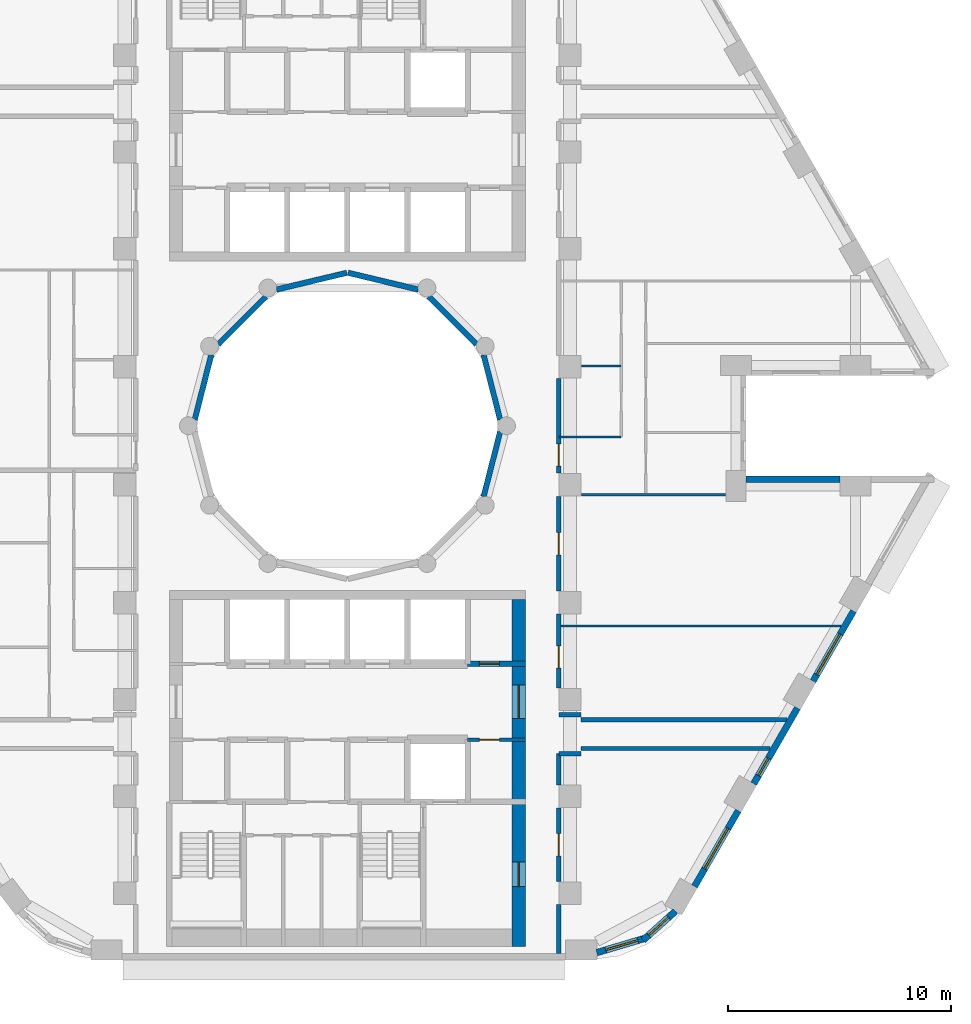
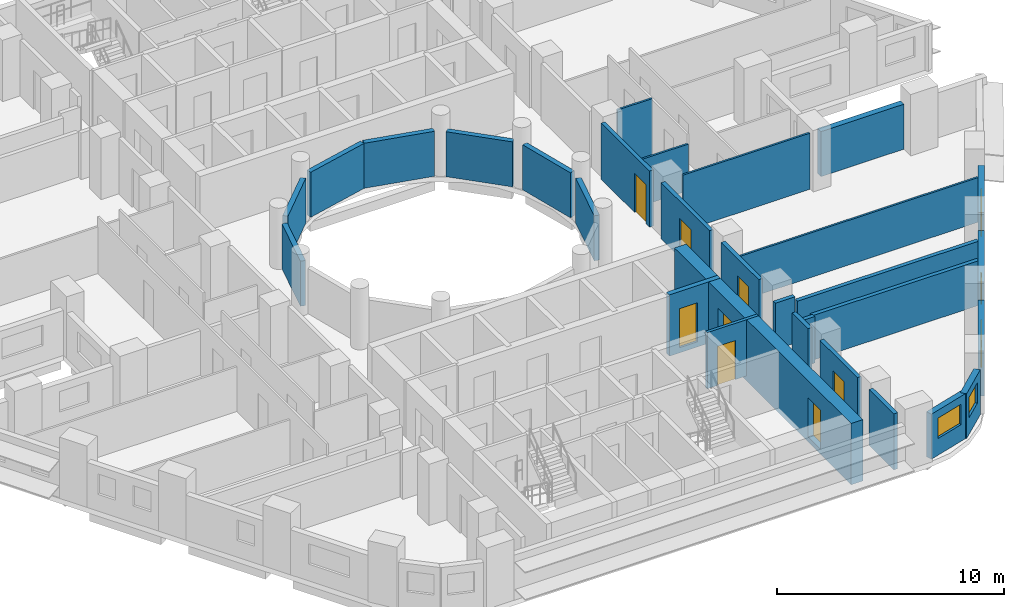
# One storey, part 5 of 12: 30 walls, 8 doors, 5 windows, 13 openings.
"""IFC4 building model written with IfcOpenShell, lengths in metres."""

from ifc_helpers import new_model, si_unit, direction, frame, frame_2d, origin, place, context, subcontext, project, spatial, rectangle, extrude, material, layer, layer_set, type_object, element, fill, save


model = new_model("IFC4")

# Units and contexts
model_context = context("Model", 3, precision=1e-05, world=origin(), true_north=direction((0.0, 1.0)))
body_context = subcontext(model_context, "Body", "Model", "MODEL_VIEW")
ifc_project = project(units=[si_unit("LENGTHUNIT", "METRE"), si_unit("AREAUNIT", "SQUARE_METRE"), si_unit("VOLUMEUNIT", "CUBIC_METRE"), si_unit("PLANEANGLEUNIT", "RADIAN"), si_unit("MASSUNIT", "GRAM", prefix="KILO")], contexts=[model_context])

# Site, building, storey
site_placement = place(None, origin())
site = spatial("IfcSite", under=ifc_project, at=site_placement, CompositionType="ELEMENT")
building_placement = place(site_placement, origin())
building = spatial("IfcBuilding", under=site, at=building_placement, Name="Nakaniwa Court", CompositionType="ELEMENT")
storey_placement = place(building_placement, frame((0.0, 0.0, 104.10009765625)))
storey = spatial("IfcBuildingStorey", under=building, at=storey_placement, Name="L27", CompositionType="ELEMENT", Elevation=104.10009765625)

# Wall
ifc_material_1 = material(Name="Acoustic double stud partition")
ifc_layer_1 = layer(ifc_material_1, 0.199951171875)
ifc_layer_set_1 = layer_set([ifc_layer_1], Name="Acoustic double stud partition")
wall_type_1 = type_object("IfcWallType", Name="Acoustic double stud partition 200", PredefinedType="PARTITIONING", material=ifc_layer_set_1)
wall_1_placement = place(storey_placement, frame((89.5, 56.300048828125, 0.0), z_axis=(0.0, 0.0, 1.0), x_axis=(0.0, 1.0, 0.0)))
element("IfcWall", 1, at=wall_1_placement, inside=storey, type_object=wall_type_1, Name="Partition PW-069", PredefinedType="PARTITIONING", context=body_context, shape_type="SweptSolid", body=[
    extrude(rectangle(XDim=2.182861328125, YDim=0.199951171875, at=frame_2d((1.09130859375, 0.0))), origin(), (0.0, 0.0, 1.0), 3.02490234375),
])

# Wall, opening, door
wall_2_placement = place(storey_placement, frame((89.5, 62.8330078125, 0.0), z_axis=(0.0, 0.0, 1.0), x_axis=(0.0, -1.0, 0.0)))
wall_2 = element("IfcWall", 2, at=wall_2_placement, inside=storey, type_object=wall_type_1, Name="Partition PW-070", PredefinedType="PARTITIONING", context=body_context, shape_type="SweptSolid", body=[
    extrude(rectangle(XDim=3.31591796875, YDim=0.199951171875, at=frame_2d((1.657958984375, 0.0))), origin(), (0.0, 0.0, 1.0), 3.02490234375),
])
opening_1_placement = place(wall_2_placement, frame((1.157958984375, 0.0, 0.0)))
opening_1 = element("IfcOpeningElement", 3, at=opening_1_placement, cuts=wall_2, Name="Opening D-02-05", PredefinedType="OPENING", context=body_context, shape_type="SweptSolid", body=[
    extrude(rectangle(XDim=1.0, YDim=2.10009765625, at=frame_2d((0.5, 1.050048828125))), frame((0.0, 0.10986328125, 0.0), z_axis=(0.0, -1.0, 0.0), x_axis=(1.0, 0.0, 0.0)), (0.0, 0.0, 1.0), 0.219970703125),
])
ifc_material_2 = material(Name="Solid core timber door set, black veneer", Category="wood")
door_type_1 = type_object("IfcDoorType", Name="Internal door 1000", OperationType="NOTDEFINED", PredefinedType="DOOR", material=ifc_material_2)
door_1_placement = place(opening_1_placement, origin())
door_1 = element("IfcDoor", 4, at=door_1_placement, inside=storey, type_object=door_type_1, Name="Door D-02-05 L27-047", OperationType="SINGLE_SWING_RIGHT", OverallHeight=2.10009765625, OverallWidth=1.0, PredefinedType="DOOR", context=body_context, shape_type="SweptSolid", body=[
    extrude(rectangle(XDim=1.0, YDim=2.10009765625, at=frame_2d((0.5, 1.050048828125))), frame((0.0, 0.02490234375, 0.0), z_axis=(0.0, -1.0, 0.0), x_axis=(1.0, 0.0, 0.0)), (0.0, 0.0, 1.0), 0.050048828125),
])
fill(opening_1, door_1)

# Wall
wall_3_placement = place(storey_placement, frame((89.5, 63.866943359375, 0.0), z_axis=(0.0, 0.0, 1.0), x_axis=(0.0, 1.0, 0.0)))
element("IfcWall", 5, at=wall_3_placement, inside=storey, type_object=wall_type_1, Name="Partition PW-071", PredefinedType="PARTITIONING", context=body_context, shape_type="SweptSolid", body=[
    extrude(rectangle(XDim=1.4111328125, YDim=0.199951171875, at=frame_2d((0.70556640625, 0.0))), origin(), (0.0, 0.0, 1.0), 3.02490234375),
])

# Wall, opening, door
wall_4_placement = place(storey_placement, frame((89.5, 71.532958984375, 0.0), z_axis=(0.0, 0.0, 1.0), x_axis=(0.0, -1.0, 0.0)))
wall_4 = element("IfcWall", 6, at=wall_4_placement, inside=storey, type_object=wall_type_1, Name="Partition PW-072", PredefinedType="PARTITIONING", context=body_context, shape_type="SweptSolid", body=[
    extrude(rectangle(XDim=3.31591796875, YDim=0.199951171875, at=frame_2d((1.657958984375, 0.0))), origin(), (0.0, 0.0, 1.0), 3.02490234375),
])
opening_2_placement = place(wall_4_placement, frame((1.423095703125, 0.0, 0.0)))
opening_2 = element("IfcOpeningElement", 7, at=opening_2_placement, cuts=wall_4, Name="Opening D-02-06", PredefinedType="OPENING", context=body_context, shape_type="SweptSolid", body=[
    extrude(rectangle(XDim=1.0, YDim=2.10009765625, at=frame_2d((0.5, 1.050048828125))), frame((0.0, 0.10986328125, 0.0), z_axis=(0.0, -1.0, 0.0), x_axis=(1.0, 0.0, 0.0)), (0.0, 0.0, 1.0), 0.219970703125),
])
door_2_placement = place(opening_2_placement, origin())
door_2 = element("IfcDoor", 8, at=door_2_placement, inside=storey, type_object=door_type_1, Name="Door D-02-06 L27-048", OperationType="SINGLE_SWING_LEFT", OverallHeight=2.10009765625, OverallWidth=1.0, PredefinedType="DOOR", context=body_context, shape_type="SweptSolid", body=[
    extrude(rectangle(XDim=1.0, YDim=2.10009765625, at=frame_2d((0.5, 1.050048828125))), frame((0.0, 0.02490234375, 0.0), z_axis=(0.0, -1.0, 0.0), x_axis=(1.0, 0.0, 0.0)), (0.0, 0.0, 1.0), 0.050048828125),
])
fill(opening_2, door_2)

wall_5_placement = place(storey_placement, frame((89.5, 76.8330078125, 0.0), z_axis=(0.0, 0.0, 1.0), x_axis=(0.0, -1.0, 0.0)))
wall_5 = element("IfcWall", 9, at=wall_5_placement, inside=storey, type_object=wall_type_1, Name="Partition PW-073", PredefinedType="PARTITIONING", context=body_context, shape_type="SweptSolid", body=[
    extrude(rectangle(XDim=4.26611328125, YDim=0.199951171875, at=frame_2d((2.133056640625, 0.0))), origin(), (0.0, 0.0, 1.0), 3.02490234375),
])
opening_3_placement = place(wall_5_placement, frame((1.633056640625, 0.0, 0.0)))
opening_3 = element("IfcOpeningElement", 10, at=opening_3_placement, cuts=wall_5, Name="Opening D-02-01", PredefinedType="OPENING", context=body_context, shape_type="SweptSolid", body=[
    extrude(rectangle(XDim=1.0, YDim=2.10009765625, at=frame_2d((0.5, 1.050048828125))), frame((0.0, 0.10986328125, 0.0), z_axis=(0.0, -1.0, 0.0), x_axis=(1.0, 0.0, 0.0)), (0.0, 0.0, 1.0), 0.219970703125),
])
door_3_placement = place(opening_3_placement, origin())
door_3 = element("IfcDoor", 11, at=door_3_placement, inside=storey, type_object=door_type_1, Name="Door D-02-01 L27-027", OperationType="SINGLE_SWING_RIGHT", OverallHeight=2.10009765625, OverallWidth=1.0, PredefinedType="DOOR", context=body_context, shape_type="SweptSolid", body=[
    extrude(rectangle(XDim=1.0, YDim=2.10009765625, at=frame_2d((0.5, 1.050048828125))), frame((0.0, 0.02490234375, 0.0), z_axis=(0.0, -1.0, 0.0), x_axis=(1.0, 0.0, 0.0)), (0.0, 0.0, 1.0), 0.050048828125),
])
fill(opening_3, door_3)

wall_6_placement = place(storey_placement, frame((89.5, 82.133056640625, 0.0), z_axis=(0.0, 0.0, 1.0), x_axis=(0.0, -1.0, 0.0)))
wall_6 = element("IfcWall", 12, at=wall_6_placement, inside=storey, type_object=wall_type_1, Name="Partition PW-074", PredefinedType="PARTITIONING", context=body_context, shape_type="SweptSolid", body=[
    extrude(rectangle(XDim=4.26611328125, YDim=0.199951171875, at=frame_2d((2.133056640625, 0.0))), origin(), (0.0, 0.0, 1.0), 3.02490234375),
])
opening_4_placement = place(wall_6_placement, frame((2.947998046875, 0.0, 0.0)))
opening_4 = element("IfcOpeningElement", 13, at=opening_4_placement, cuts=wall_6, Name="Opening D-01-01", PredefinedType="OPENING", context=body_context, shape_type="SweptSolid", body=[
    extrude(rectangle(XDim=1.0, YDim=2.10009765625, at=frame_2d((0.5, 1.050048828125))), frame((0.0, 0.10986328125, 0.0), z_axis=(0.0, -1.0, 0.0), x_axis=(1.0, 0.0, 0.0)), (0.0, 0.0, 1.0), 0.219970703125),
])
door_type_2 = type_object("IfcDoorType", Name="Flat entrance door 1000", OperationType="NOTDEFINED", PredefinedType="DOOR", material=ifc_material_2)
door_4_placement = place(opening_4_placement, origin())
door_4 = element("IfcDoor", 14, at=door_4_placement, inside=storey, type_object=door_type_2, Name="Door D-01-01 L27-028", OperationType="SINGLE_SWING_LEFT", OverallHeight=2.10009765625, OverallWidth=1.0, PredefinedType="DOOR", context=body_context, shape_type="SweptSolid", body=[
    extrude(rectangle(XDim=1.0, YDim=2.10009765625, at=frame_2d((0.5, 1.050048828125))), frame((0.0, 0.02490234375, 0.0), z_axis=(0.0, -1.0, 0.0), x_axis=(1.0, 0.0, 0.0)), (0.0, 0.0, 1.0), 0.050048828125),
])
fill(opening_4, door_4)

# Walls
wall_7_placement = place(storey_placement, frame((90.5, 65.5, 0.0), z_axis=(0.0, 0.0, 1.0), x_axis=(1.0, 0.0, 0.0)))
element("IfcWall", 15, at=wall_7_placement, inside=storey, type_object=wall_type_1, Name="Partition PW-090", PredefinedType="PARTITIONING", context=body_context, shape_type="SweptSolid", body=[
    extrude(rectangle(XDim=8.494873046875, YDim=0.199951171875, at=frame_2d((4.24755859375, 0.0))), origin(), (0.0, 0.0, 1.0), 2.40478515625),
])
for number, where, z_axis, x_axis, name in (
    (16, (89.5, 65.27490234375, 0.0), (0.0, 0.0, 1.0), (1.0, 0.0, 0.0), "Partition PW-092"),
    (17, (89.5, 67.02490234375, 0.0), (0.0, 0.0, 1.0), (1.0, 0.0, 0.0), "Partition PW-094"),
):
    element("IfcWall", number, at=place(storey_placement, frame(where, z_axis=z_axis, x_axis=x_axis)), inside=storey, type_object=wall_type_1, Name=name, PredefinedType="PARTITIONING", context=body_context, shape_type="SweptSolid", body=[
        extrude(rectangle(XDim=1.0, YDim=0.199951171875, at=frame_2d((0.5, 0.0))), origin(), (0.0, 0.0, 1.0), 2.5048828125),
    ])
wall_8_placement = place(storey_placement, frame((90.5, 66.800048828125, 0.0), z_axis=(0.0, 0.0, 1.0), x_axis=(1.0, 0.0, 0.0)))
element("IfcWall", 18, at=wall_8_placement, inside=storey, type_object=wall_type_1, Name="Partition PW-096", PredefinedType="PARTITIONING", context=body_context, shape_type="SweptSolid", body=[
    extrude(rectangle(XDim=9.245361328125, YDim=0.199951171875, at=frame_2d((4.62255859375, 0.0))), origin(), (0.0, 0.0, 1.0), 2.40478515625),
])

# Wall, opening, window
ifc_material_3 = material(Name="Charcoal ceramic cladding")
ifc_layer_2 = layer(ifc_material_3, 0.02, Name="Ceramic cladding")
ifc_material_4 = material(Name="Ventilated air cavity")
ifc_layer_3 = layer(ifc_material_4, 0.04, ventilated=True, Name="Ventilated cavity")
ifc_material_5 = material(Name="Mineral wool insulation")
ifc_layer_4 = layer(ifc_material_5, 0.1, Name="Insulation")
ifc_material_6 = material(Name="Cement bonded sheathing board")
ifc_layer_5 = layer(ifc_material_6, 0.012, Name="Sheathing")
ifc_material_7 = material(Name="Cold-formed galvanised stud frame with mineral wool infill")
ifc_layer_6 = layer(ifc_material_7, 0.1, Name="Stud frame")
ifc_material_8 = material(Name="Fire-rated gypsum plasterboard lining")
ifc_layer_7 = layer(ifc_material_8, 0.028, Name="Lining")
ifc_layer_set_2 = layer_set([ifc_layer_2, ifc_layer_3, ifc_layer_4, ifc_layer_5, ifc_layer_6, ifc_layer_7], Name="Charcoal ceramic faced external wall system")
wall_type_2 = type_object("IfcWallType", Name="Black ceramic faced external wall 300", PredefinedType="SOLIDWALL", material=ifc_layer_set_2)
wall_9_placement = place(storey_placement, frame((91.203369140625, 56.329833984375, 0.0), z_axis=(0.0, 0.0, 1.0), x_axis=(0.95847736903, 0.285168604614, 0.0)))
wall_9 = element("IfcWall", 19, at=wall_9_placement, inside=storey, type_object=wall_type_2, Name="L27 external wall 27", PredefinedType="SOLIDWALL", context=body_context, shape_type="SweptSolid", body=[
    extrude(rectangle(XDim=2.261962890625, YDim=0.300048828125, at=frame_2d((1.130859375, 0.0))), origin(), (0.0, 0.0, 1.0), 2.4248046875),
])
opening_5_placement = place(wall_9_placement, frame((0.418701171875, 0.0, 0.89990234375)))
opening_5 = element("IfcOpeningElement", 20, at=opening_5_placement, cuts=wall_9, Name="Opening W5.29", PredefinedType="OPENING", context=body_context, shape_type="SweptSolid", body=[
    extrude(rectangle(XDim=1.5, YDim=1.10009765625, at=frame_2d((0.75, 0.550048828125))), frame((0.0, 0.159912109375, 0.0), z_axis=(0.0, -1.0, 0.0), x_axis=(1.0, 0.0, 0.0)), (0.0, 0.0, 1.0), 0.320068359375),
])
ifc_material_9 = material(Name="Black anodised aluminium frame with dark low-E laminated double glazing", Category="aluminium")
window_type_1 = type_object("IfcWindowType", Name="Dark glass window 1500x1100 sill 900", PartitioningType="SINGLE_PANEL", PredefinedType="WINDOW", material=ifc_material_9)
window_1_placement = place(opening_5_placement, origin())
window_1 = element("IfcWindow", 21, at=window_1_placement, inside=storey, type_object=window_type_1, Name="L27 habitable room window 27-0", OverallHeight=1.10009765625, OverallWidth=1.5, PartitioningType="SINGLE_PANEL", PredefinedType="WINDOW", context=body_context, shape_type="SweptSolid", body=[
    extrude(rectangle(XDim=1.5, YDim=1.10009765625, at=frame_2d((0.75, 0.550048828125))), frame((0.0, 0.030029296875, 0.0), z_axis=(0.0, -1.0, 0.0), x_axis=(1.0, 0.0, 0.0)), (0.0, 0.0, 1.0), 0.06005859375),
])
fill(opening_5, window_1)

wall_10_placement = place(storey_placement, frame((93.283447265625, 56.88671875, 0.0), z_axis=(0.0, 0.0, 1.0), x_axis=(0.743785734967, 0.668418117992, 0.0)))
wall_10 = element("IfcWall", 22, at=wall_10_placement, inside=storey, type_object=wall_type_2, Name="L27 external wall 28", PredefinedType="SOLIDWALL", context=body_context, shape_type="SweptSolid", body=[
    extrude(rectangle(XDim=1.9501953125, YDim=0.300048828125, at=frame_2d((0.97509765625, 0.0))), origin(), (0.0, 0.0, 1.0), 2.4248046875),
])
opening_6_placement = place(wall_10_placement, frame((0.334716796875, 0.0, 0.89990234375)))
opening_6 = element("IfcOpeningElement", 23, at=opening_6_placement, cuts=wall_10, Name="Opening W6.30", PredefinedType="OPENING", context=body_context, shape_type="SweptSolid", body=[
    extrude(rectangle(XDim=1.199951171875, YDim=1.10009765625, at=frame_2d((0.60009765625, 0.550048828125))), frame((0.0, 0.159912109375, 0.0), z_axis=(0.0, -1.0, 0.0), x_axis=(1.0, 0.0, 0.0)), (0.0, 0.0, 1.0), 0.320068359375),
])
window_type_2 = type_object("IfcWindowType", Name="Dark glass window 1200x1100 sill 900", PartitioningType="SINGLE_PANEL", PredefinedType="WINDOW", material=ifc_material_9)
window_2_placement = place(opening_6_placement, origin())
window_2 = element("IfcWindow", 24, at=window_2_placement, inside=storey, type_object=window_type_2, Name="L27 habitable room window 28-0", OverallHeight=1.10009765625, OverallWidth=1.199951171875, PartitioningType="SINGLE_PANEL", PredefinedType="WINDOW", context=body_context, shape_type="SweptSolid", body=[
    extrude(rectangle(XDim=1.199951171875, YDim=1.10009765625, at=frame_2d((0.60009765625, 0.550048828125))), frame((0.0, 0.030029296875, 0.0), z_axis=(0.0, -1.0, 0.0), x_axis=(1.0, 0.0, 0.0)), (0.0, 0.0, 1.0), 0.06005859375),
])
fill(opening_6, window_2)

wall_11_placement = place(storey_placement, frame((95.59033203125, 59.30322265625, 0.0), z_axis=(0.0, 0.0, 1.0), x_axis=(0.500003583557, 0.866023334807, 0.0)))
wall_11 = element("IfcWall", 25, at=wall_11_placement, inside=storey, type_object=wall_type_2, Name="L27 external wall 29", PredefinedType="SOLIDWALL", context=body_context, shape_type="SweptSolid", body=[
    extrude(rectangle(XDim=3.93408203125, YDim=0.300048828125, at=frame_2d((1.967041015625, 0.0))), origin(), (0.0, 0.0, 1.0), 2.4248046875),
])
opening_7_placement = place(wall_11_placement, frame((0.9169921875, 0.0, 0.89990234375)))
opening_7 = element("IfcOpeningElement", 26, at=opening_7_placement, cuts=wall_11, Name="Opening W7.31", PredefinedType="OPENING", context=body_context, shape_type="SweptSolid", body=[
    extrude(rectangle(XDim=2.10009765625, YDim=1.10009765625, at=frame_2d((1.050048828125, 0.550048828125))), frame((0.0, 0.159912109375, 0.0), z_axis=(0.0, -1.0, 0.0), x_axis=(1.0, 0.0, 0.0)), (0.0, 0.0, 1.0), 0.320068359375),
])
window_type_3 = type_object("IfcWindowType", Name="Dark glass window 2100x1100 sill 900", PartitioningType="SINGLE_PANEL", PredefinedType="WINDOW", material=ifc_material_9)
window_3_placement = place(opening_7_placement, origin())
window_3 = element("IfcWindow", 27, at=window_3_placement, inside=storey, type_object=window_type_3, Name="L27 habitable room window 29-0", OverallHeight=1.10009765625, OverallWidth=2.10009765625, PartitioningType="SINGLE_PANEL", PredefinedType="WINDOW", context=body_context, shape_type="SweptSolid", body=[
    extrude(rectangle(XDim=2.10009765625, YDim=1.10009765625, at=frame_2d((1.050048828125, 0.550048828125))), frame((0.0, 0.030029296875, 0.0), z_axis=(0.0, -1.0, 0.0), x_axis=(1.0, 0.0, 0.0)), (0.0, 0.0, 1.0), 0.06005859375),
])
fill(opening_7, window_3)

wall_12_placement = place(storey_placement, frame((98.25341796875, 63.91552734375, 0.0), z_axis=(0.0, 0.0, 1.0), x_axis=(0.499957037901, 0.866050206543, 0.0)))
wall_12 = element("IfcWall", 28, at=wall_12_placement, inside=storey, type_object=wall_type_2, Name="L27 external wall 30", PredefinedType="SOLIDWALL", context=body_context, shape_type="SweptSolid", body=[
    extrude(rectangle(XDim=3.933837890625, YDim=0.300048828125, at=frame_2d((1.966796875, 0.0))), origin(), (0.0, 0.0, 1.0), 2.4248046875),
])
opening_8_placement = place(wall_12_placement, frame((0.427734375, 0.0, 0.89990234375)))
opening_8 = element("IfcOpeningElement", 29, at=opening_8_placement, cuts=wall_12, Name="Opening W9.32", PredefinedType="OPENING", context=body_context, shape_type="SweptSolid", body=[
    extrude(rectangle(XDim=0.89990234375, YDim=1.10009765625, at=frame_2d((0.449951171875, 0.550048828125))), frame((0.0, 0.159912109375, 0.0), z_axis=(0.0, -1.0, 0.0), x_axis=(1.0, 0.0, 0.0)), (0.0, 0.0, 1.0), 0.320068359375),
])
window_type_4 = type_object("IfcWindowType", Name="Dark glass window 900x1100 sill 900", PartitioningType="SINGLE_PANEL", PredefinedType="WINDOW", material=ifc_material_9)
window_4_placement = place(opening_8_placement, origin())
window_4 = element("IfcWindow", 30, at=window_4_placement, inside=storey, type_object=window_type_4, Name="L27 habitable room window 30-0", OverallHeight=1.10009765625, OverallWidth=0.89990234375, PartitioningType="SINGLE_PANEL", PredefinedType="WINDOW", context=body_context, shape_type="SweptSolid", body=[
    extrude(rectangle(XDim=0.89990234375, YDim=1.10009765625, at=frame_2d((0.449951171875, 0.550048828125))), frame((0.0, 0.030029296875, 0.0), z_axis=(0.0, -1.0, 0.0), x_axis=(1.0, 0.0, 0.0)), (0.0, 0.0, 1.0), 0.06005859375),
])
fill(opening_8, window_4)

wall_13_placement = place(storey_placement, frame((100.916259765625, 68.528076171875, 0.0), z_axis=(0.0, 0.0, 1.0), x_axis=(0.500009139881, 0.866020126807, 0.0)))
wall_13 = element("IfcWall", 31, at=wall_13_placement, inside=storey, type_object=wall_type_2, Name="L27 external wall 31", PredefinedType="SOLIDWALL", context=body_context, shape_type="SweptSolid", body=[
    extrude(rectangle(XDim=3.63671875, YDim=0.300048828125, at=frame_2d((1.818359375, 0.0))), origin(), (0.0, 0.0, 1.0), 2.4248046875),
])
opening_9_placement = place(wall_13_placement, frame((0.340087890625, 0.0, 0.89990234375)))
opening_9 = element("IfcOpeningElement", 32, at=opening_9_placement, cuts=wall_13, Name="Opening W7.33", PredefinedType="OPENING", context=body_context, shape_type="SweptSolid", body=[
    extrude(rectangle(XDim=2.10009765625, YDim=1.10009765625, at=frame_2d((1.050048828125, 0.550048828125))), frame((0.0, 0.159912109375, 0.0), z_axis=(0.0, -1.0, 0.0), x_axis=(1.0, 0.0, 0.0)), (0.0, 0.0, 1.0), 0.320068359375),
])
window_5_placement = place(opening_9_placement, origin())
window_5 = element("IfcWindow", 33, at=window_5_placement, inside=storey, type_object=window_type_3, Name="L27 habitable room window 31-0", OverallHeight=1.10009765625, OverallWidth=2.10009765625, PartitioningType="SINGLE_PANEL", PredefinedType="WINDOW", context=body_context, shape_type="SweptSolid", body=[
    extrude(rectangle(XDim=2.10009765625, YDim=1.10009765625, at=frame_2d((1.050048828125, 0.550048828125))), frame((0.0, 0.030029296875, 0.0), z_axis=(0.0, -1.0, 0.0), x_axis=(1.0, 0.0, 0.0)), (0.0, 0.0, 1.0), 0.06005859375),
])
fill(opening_9, window_5)

# Wall
wall_14_placement = place(storey_placement, frame((102.126953125, 77.60009765625, 0.0), z_axis=(0.0, 0.0, 1.0), x_axis=(-1.0, 0.0, 0.0)))
element("IfcWall", 34, at=wall_14_placement, inside=storey, type_object=wall_type_2, Name="L27 external wall 34", PredefinedType="SOLIDWALL", context=body_context, shape_type="SweptSolid", body=[
    extrude(rectangle(XDim=4.22265625, YDim=0.300048828125, at=frame_2d((2.111328125, 0.0))), origin(), (0.0, 0.0, 1.0), 2.4248046875),
])

# Wall, opening, door
ifc_material_10 = material(Name="Blockwork partition", Category="masonry")
ifc_layer_8 = layer(ifc_material_10, 0.14990234375)
ifc_layer_set_3 = layer_set([ifc_layer_8], Name="Blockwork partition")
wall_type_3 = type_object("IfcWallType", Name="Blockwork partition 150", PredefinedType="PARTITIONING", material=ifc_layer_set_3)
wall_15_placement = place(storey_placement, frame((88.0, 65.89990234375, 0.0), z_axis=(0.0, 0.0, 1.0), x_axis=(-1.0, 0.0, 0.0)))
wall_15 = element("IfcWall", 35, at=wall_15_placement, inside=storey, type_object=wall_type_3, Name="Partition PW-052", PredefinedType="PARTITIONING", context=body_context, shape_type="SweptSolid", body=[
    extrude(rectangle(XDim=2.60302734375, YDim=0.14990234375, at=frame_2d((1.301513671875, 0.0))), origin(), (0.0, 0.0, 1.0), 3.02490234375),
])
opening_10_placement = place(wall_15_placement, frame((1.175048828125, 0.0, 0.0)))
opening_10 = element("IfcOpeningElement", 36, at=opening_10_placement, cuts=wall_15, Name="Opening D-05-13", PredefinedType="OPENING", context=body_context, shape_type="SweptSolid", body=[
    extrude(rectangle(XDim=0.89990234375, YDim=2.10009765625, at=frame_2d((0.449951171875, 1.050048828125))), frame((0.0, 0.0849609375, 0.0), z_axis=(0.0, -1.0, 0.0), x_axis=(1.0, 0.0, 0.0)), (0.0, 0.0, 1.0), 0.169921875),
])
ifc_material_11 = material(Name="Fire rated steel door set", Category="steel")
door_type_3 = type_object("IfcDoorType", Name="Service room door 900", OperationType="NOTDEFINED", PredefinedType="DOOR", material=ifc_material_11)
door_5_placement = place(opening_10_placement, origin())
door_5 = element("IfcDoor", 37, at=door_5_placement, inside=storey, type_object=door_type_3, Name="Door D-05-13 L27-020", OperationType="SINGLE_SWING_LEFT", OverallHeight=2.10009765625, OverallWidth=0.89990234375, PredefinedType="DOOR", context=body_context, shape_type="SweptSolid", body=[
    extrude(rectangle(XDim=0.89990234375, YDim=2.10009765625, at=frame_2d((0.449951171875, 1.050048828125))), frame((0.0, 0.02490234375, 0.0), z_axis=(0.0, -1.0, 0.0), x_axis=(1.0, 0.0, 0.0)), (0.0, 0.0, 1.0), 0.050048828125),
])
fill(opening_10, door_5)

# Walls
ifc_layer_9 = layer(ifc_material_3, 0.02, Name="Ceramic cladding")
ifc_layer_10 = layer(ifc_material_4, 0.04, ventilated=True, Name="Ventilated cavity")
ifc_layer_11 = layer(ifc_material_5, 0.075, Name="Insulation")
ifc_layer_12 = layer(ifc_material_6, 0.012, Name="Sheathing")
ifc_layer_13 = layer(ifc_material_7, 0.075, Name="Stud frame")
ifc_layer_14 = layer(ifc_material_8, 0.028, Name="Lining")
ifc_layer_set_4 = layer_set([ifc_layer_9, ifc_layer_10, ifc_layer_11, ifc_layer_12, ifc_layer_13, ifc_layer_14], Name="Charcoal ceramic faced external wall system")
wall_type_4 = type_object("IfcWallType", Name="Charcoal ceramic faced well wall 250", PredefinedType="SOLIDWALL", material=ifc_layer_set_4)
for number, where, z_axis, x_axis, name in (
    (38, (86.8603515625, 79.72998046875, 0.0), (0.0, 0.0, 1.0), (-0.247055971283, -0.969001211069, 0.0), "L27 external wall 36"),
    (39, (73.1396484375, 80.27001953125, 0.0), (0.0, 0.0, 1.0), (0.247055971283, 0.969001211069, 0.0), "L27 external wall 42"),
):
    element("IfcWall", number, at=place(storey_placement, frame(where, z_axis=z_axis, x_axis=x_axis)), inside=storey, type_object=wall_type_4, Name=name, PredefinedType="SOLIDWALL", context=body_context, shape_type="SweptSolid", body=[
        extrude(rectangle(XDim=3.010009765625, YDim=0.25, at=frame_2d((1.5048828125, 0.0))), origin(), (0.0, 0.0, 1.0), 2.4248046875),
    ])
wall_16_placement = place(storey_placement, frame((74.1943359375, 83.660888671875, 0.0), z_axis=(0.0, 0.0, 1.0), x_axis=(0.707106781187, 0.707106781187, 0.0)))
element("IfcWall", 40, at=wall_16_placement, inside=storey, type_object=wall_type_4, Name="L27 external wall 43", PredefinedType="SOLIDWALL", context=body_context, shape_type="SweptSolid", body=[
    extrude(rectangle(XDim=3.033203125, YDim=0.25, at=frame_2d((1.5166015625, 0.0))), origin(), (0.0, 0.0, 1.0), 2.4248046875),
])
for number, where, z_axis, x_axis, name in (
    (41, (76.813720703125, 86.119384765625, 0.0), (0.0, 0.0, 1.0), (0.972773113459, 0.231759508395, 0.0), "L27 external wall 44"),
    (42, (80.029052734375, 86.87158203125, 0.0), (0.0, 0.0, 1.0), (0.972773113459, -0.231759508395, 0.0), "L27 external wall 45"),
):
    element("IfcWall", number, at=place(storey_placement, frame(where, z_axis=z_axis, x_axis=x_axis)), inside=storey, type_object=wall_type_4, Name=name, PredefinedType="SOLIDWALL", context=body_context, shape_type="SweptSolid", body=[
        extrude(rectangle(XDim=3.24560546875, YDim=0.25, at=frame_2d((1.622802734375, 0.0))), origin(), (0.0, 0.0, 1.0), 2.4248046875),
    ])
wall_17_placement = place(storey_placement, frame((83.660888671875, 85.8056640625, 0.0), z_axis=(0.0, 0.0, 1.0), x_axis=(0.707106781187, -0.707106781187, 0.0)))
element("IfcWall", 43, at=wall_17_placement, inside=storey, type_object=wall_type_4, Name="L27 external wall 46", PredefinedType="SOLIDWALL", context=body_context, shape_type="SweptSolid", body=[
    extrude(rectangle(XDim=3.033203125, YDim=0.25, at=frame_2d((1.5166015625, 0.0))), origin(), (0.0, 0.0, 1.0), 2.4248046875),
])
wall_18_placement = place(storey_placement, frame((86.11669921875, 83.186767578125, 0.0), z_axis=(0.0, 0.0, 1.0), x_axis=(0.247055971283, -0.969001211069, 0.0)))
element("IfcWall", 44, at=wall_18_placement, inside=storey, type_object=wall_type_4, Name="L27 external wall 47", PredefinedType="SOLIDWALL", context=body_context, shape_type="SweptSolid", body=[
    extrude(rectangle(XDim=3.010009765625, YDim=0.25, at=frame_2d((1.5048828125, 0.0))), origin(), (0.0, 0.0, 1.0), 2.4248046875),
])

# Wall, openings, doors
ifc_material_12 = material(Name="Concrete C80/100", Category="concrete")
ifc_layer_15 = layer(ifc_material_12, 0.60009765625)
ifc_layer_set_5 = layer_set([ifc_layer_15], Name="Concrete C80/100")
wall_type_5 = type_object("IfcWallType", Name="Concrete core side wall 600 C80", PredefinedType="SHEAR", material=ifc_layer_set_5)
wall_19_placement = place(storey_placement, frame((87.699951171875, 72.199951171875, -0.275146484375), z_axis=(0.0, 0.0, 1.0), x_axis=(0.0, -1.0, 0.0)))
wall_19 = element("IfcWall", 45, at=wall_19_placement, inside=storey, type_object=wall_type_5, Name="Core wall SW-49", PredefinedType="SHEAR", context=body_context, shape_type="SweptSolid", body=[
    extrude(rectangle(XDim=15.599853515625, YDim=0.60009765625, at=frame_2d((7.7998046875, 0.0))), origin(), (0.0, 0.0, 1.0), 3.300048828125),
])
opening_11_placement = place(wall_19_placement, frame((3.85009765625, 0.0, 0.27490234375)))
opening_11 = element("IfcOpeningElement", 46, at=opening_11_placement, cuts=wall_19, Name="Opening D-07-03", PredefinedType="OPENING", context=body_context, shape_type="SweptSolid", body=[
    extrude(rectangle(XDim=1.5, YDim=2.10009765625, at=frame_2d((0.75, 1.050048828125))), frame((0.0, 0.31005859375, 0.0), z_axis=(0.0, -1.0, 0.0), x_axis=(1.0, 0.0, 0.0)), (0.0, 0.0, 1.0), 0.6201171875),
])
opening_12_placement = place(wall_19_placement, frame((11.800048828125, 0.0, 0.27490234375)))
opening_12 = element("IfcOpeningElement", 47, at=opening_12_placement, cuts=wall_19, Name="Opening D-10-02", PredefinedType="OPENING", context=body_context, shape_type="SweptSolid", body=[
    extrude(rectangle(XDim=1.10009765625, YDim=2.10009765625, at=frame_2d((0.550048828125, 1.050048828125))), frame((0.0, 0.31005859375, 0.0), z_axis=(0.0, -1.0, 0.0), x_axis=(1.0, 0.0, 0.0)), (0.0, 0.0, 1.0), 0.6201171875),
])
door_type_4 = type_object("IfcDoorType", Name="Firefighting lobby door 1100", OperationType="NOTDEFINED", PredefinedType="DOOR", material=ifc_material_11)
door_6_placement = place(opening_12_placement, origin())
door_6 = element("IfcDoor", 48, at=door_6_placement, inside=storey, type_object=door_type_4, Name="Door D-10-02 L27-056", OperationType="SINGLE_SWING_LEFT", OverallHeight=2.10009765625, OverallWidth=1.10009765625, PredefinedType="DOOR", context=body_context, shape_type="SweptSolid", body=[
    extrude(rectangle(XDim=1.10009765625, YDim=2.10009765625, at=frame_2d((0.550048828125, 1.050048828125))), frame((0.0, 0.02490234375, 0.0), z_axis=(0.0, -1.0, 0.0), x_axis=(1.0, 0.0, 0.0)), (0.0, 0.0, 1.0), 0.050048828125),
])
fill(opening_12, door_6)
ifc_material_13 = material(Name="Glazed fire rated steel double door set", Category="steel")
door_type_5 = type_object("IfcDoorType", Name="Lobby double door 1500", OperationType="NOTDEFINED", PredefinedType="DOOR", material=ifc_material_13)
door_7_placement = place(opening_11_placement, origin())
door_7 = element("IfcDoor", 49, at=door_7_placement, inside=storey, type_object=door_type_5, Name="Door D-07-03 L27-054", OperationType="DOUBLE_DOOR_SINGLE_SWING", OverallHeight=2.10009765625, OverallWidth=1.5, PredefinedType="DOOR", context=body_context, shape_type="SweptSolid", body=[
    extrude(rectangle(XDim=1.5, YDim=2.10009765625, at=frame_2d((0.75, 1.050048828125))), frame((0.0, 0.02490234375, 0.0), z_axis=(0.0, -1.0, 0.0), x_axis=(1.0, 0.0, 0.0)), (0.0, 0.0, 1.0), 0.050048828125),
])
fill(opening_11, door_7)

# Wall, opening, door
ifc_layer_16 = layer(ifc_material_12, 0.25)
ifc_layer_set_6 = layer_set([ifc_layer_16], Name="Concrete C80/100")
wall_type_6 = type_object("IfcWallType", Name="Concrete shaft wall 250 C80", PredefinedType="SHEAR", material=ifc_layer_set_6)
wall_20_placement = place(storey_placement, frame((85.39990234375, 69.300048828125, -0.275146484375), z_axis=(0.0, 0.0, 1.0), x_axis=(1.0, 0.0, 0.0)))
wall_20 = element("IfcWall", 50, at=wall_20_placement, inside=storey, type_object=wall_type_6, Name="Core wall SW-48", PredefinedType="SHEAR", context=body_context, shape_type="SweptSolid", body=[
    extrude(rectangle(XDim=2.60009765625, YDim=0.25, at=frame_2d((1.300048828125, 0.0))), origin(), (0.0, 0.0, 1.0), 3.300048828125),
])
opening_13_placement = place(wall_20_placement, frame((0.52490234375, 0.0, 0.27490234375)))
opening_13 = element("IfcOpeningElement", 51, at=opening_13_placement, cuts=wall_20, Name="Opening D-05-10", PredefinedType="OPENING", context=body_context, shape_type="SweptSolid", body=[
    extrude(rectangle(XDim=0.89990234375, YDim=2.10009765625, at=frame_2d((0.449951171875, 1.050048828125))), frame((0.0, 0.135009765625, 0.0), z_axis=(0.0, -1.0, 0.0), x_axis=(1.0, 0.0, 0.0)), (0.0, 0.0, 1.0), 0.27001953125),
])
door_8_placement = place(opening_13_placement, origin())
door_8 = element("IfcDoor", 52, at=door_8_placement, inside=storey, type_object=door_type_3, Name="Door D-05-10 L27-015", OperationType="SINGLE_SWING_RIGHT", OverallHeight=2.10009765625, OverallWidth=0.89990234375, PredefinedType="DOOR", context=body_context, shape_type="SweptSolid", body=[
    extrude(rectangle(XDim=0.89990234375, YDim=2.10009765625, at=frame_2d((0.449951171875, 1.050048828125))), frame((0.0, 0.02490234375, 0.0), z_axis=(0.0, -1.0, 0.0), x_axis=(1.0, 0.0, 0.0)), (0.0, 0.0, 1.0), 0.050048828125),
])
fill(opening_13, door_8)

# Walls
ifc_material_14 = material(Name="Single stud plasterboard partition")
ifc_layer_17 = layer(ifc_material_14, 0.10009765625)
ifc_layer_set_7 = layer_set([ifc_layer_17], Name="Single stud plasterboard partition")
wall_type_7 = type_object("IfcWallType", Name="Single stud plasterboard partition 100", PredefinedType="PARTITIONING", material=ifc_layer_set_7)
wall_21_placement = place(storey_placement, frame((90.52001953125, 76.89990234375, 0.0), z_axis=(0.0, 0.0, 1.0), x_axis=(1.0, 0.0, 0.0)))
element("IfcWall", 53, at=wall_21_placement, inside=storey, type_object=wall_type_7, Name="Partition PW-109", PredefinedType="PARTITIONING", context=body_context, shape_type="SweptSolid", body=[
    extrude(rectangle(XDim=6.46826171875, YDim=0.10009765625, at=frame_2d((3.234130859375, 0.0))), origin(), (0.0, 0.0, 1.0), 3.02490234375),
])
wall_22_placement = place(storey_placement, frame((89.5, 71.0, 0.0), z_axis=(0.0, 0.0, 1.0), x_axis=(1.0, 0.0, 0.0)))
element("IfcWall", 54, at=wall_22_placement, inside=storey, type_object=wall_type_7, Name="Partition PW-110", PredefinedType="PARTITIONING", context=body_context, shape_type="SweptSolid", body=[
    extrude(rectangle(XDim=12.670166015625, YDim=0.10009765625, at=frame_2d((6.3349609375, 0.0))), origin(), (0.0, 0.0, 1.0), 2.40478515625),
])
wall_23_placement = place(storey_placement, frame((90.52001953125, 82.681884765625, 0.0), z_axis=(0.0, 0.0, 1.0), x_axis=(1.0, 0.0, 0.0)))
element("IfcWall", 55, at=wall_23_placement, inside=storey, type_object=wall_type_7, Name="Partition PW-111", PredefinedType="PARTITIONING", context=body_context, shape_type="SweptSolid", body=[
    extrude(rectangle(XDim=1.780029296875, YDim=0.10009765625, at=frame_2d((0.89013671875, 0.0))), origin(), (0.0, 0.0, 1.0), 3.02490234375),
])
wall_24_placement = place(storey_placement, frame((89.5, 79.5, 0.0), z_axis=(0.0, 0.0, 1.0), x_axis=(1.0, 0.0, 0.0)))
element("IfcWall", 56, at=wall_24_placement, inside=storey, type_object=wall_type_7, Name="Partition PW-112", PredefinedType="PARTITIONING", context=body_context, shape_type="SweptSolid", body=[
    extrude(rectangle(XDim=2.800048828125, YDim=0.10009765625, at=frame_2d((1.39990234375, 0.0))), origin(), (0.0, 0.0, 1.0), 2.5048828125),
])

save(model, "model.ifc")
